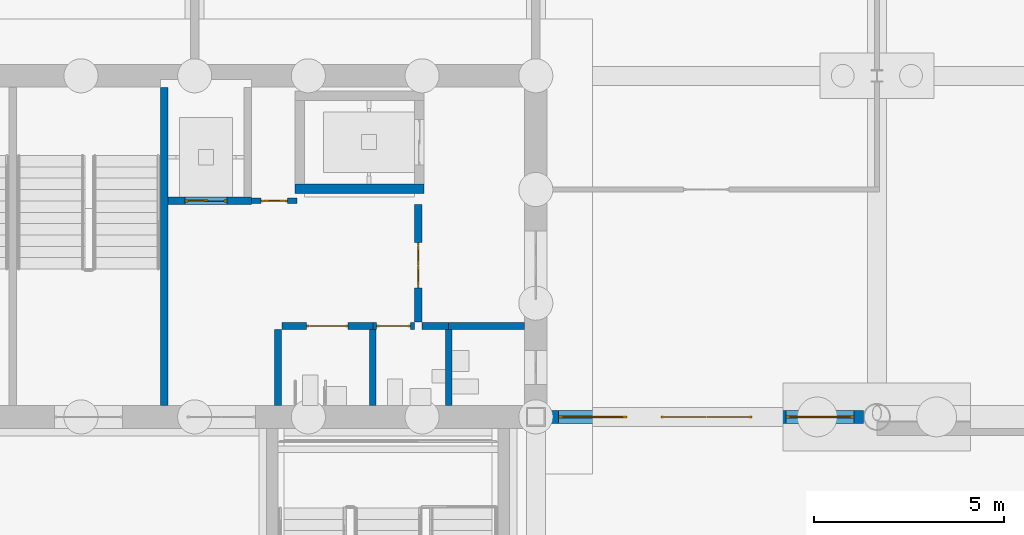
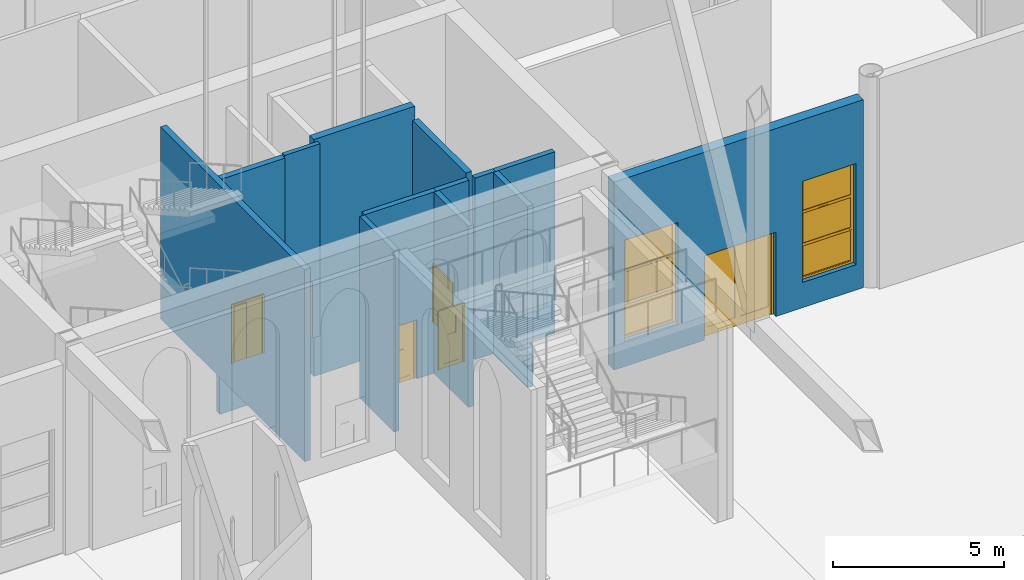
# One storey, part 108 of 250: 13 walls, 6 doors, 2 windows, 8 openings.
"""IFC4 building model written with IfcOpenShell, lengths in metres."""

from ifc_helpers import new_model, si_unit, direction, frame, frame_2d, origin, place, context, subcontext, project, spatial, polyline, rectangle, outline, extrude, material, layer, layer_set, type_object, element, fill, save


model = new_model("IFC4")

# Units and contexts
model_context = context("Model", 3, precision=1e-05, world=origin(), true_north=direction((0.0, 1.0)))
body_context = subcontext(model_context, "Body", "Model", "MODEL_VIEW")
ifc_project = project(units=[si_unit("LENGTHUNIT", "METRE"), si_unit("AREAUNIT", "SQUARE_METRE"), si_unit("VOLUMEUNIT", "CUBIC_METRE"), si_unit("PLANEANGLEUNIT", "RADIAN"), si_unit("MASSUNIT", "GRAM", prefix="KILO")], contexts=[model_context])

# Site, building, storey
site_placement = place(None, origin())
site = spatial("IfcSite", under=ifc_project, at=site_placement, CompositionType="ELEMENT")
building_placement = place(site_placement, origin())
building = spatial("IfcBuilding", under=site, at=building_placement, Name="Baradari Gate Terminus", CompositionType="ELEMENT")
storey_placement = place(building_placement, origin())
storey = spatial("IfcBuildingStorey", under=building, at=storey_placement, Name="L00", CompositionType="ELEMENT", Elevation=0.0)

# Wall
ifc_material_1 = material(Name="Concrete C32/40", Category="concrete")
ifc_layer_1 = layer(ifc_material_1, 0.25)
ifc_layer_set_1 = layer_set([ifc_layer_1], Name="Concrete C32/40")
wall_type_1 = type_object("IfcWallType", Name="Firefighting lift shaft wall SH-2 250 EI 120", PredefinedType="SOLIDWALL", material=ifc_layer_set_1)
wall_1_placement = place(storey_placement, frame((83.64990234375, 87.02490234375, -1.60009765625), z_axis=(0.0, 0.0, 1.0), x_axis=(1.0, 0.0, 0.0)))
element("IfcWall", 1, at=wall_1_placement, inside=storey, type_object=wall_type_1, Name="Lift shaft wall LGN2 L00 S", PredefinedType="SOLIDWALL", context=body_context, shape_type="SweptSolid", body=[
    extrude(rectangle(XDim=3.400146484375, YDim=0.25, at=frame_2d((1.7001953125, 0.0))), origin(), (0.0, 0.0, 1.0), 8.43603515625),
])

# Wall, opening, door
ifc_material_2 = material(Name="Blockwork wall, fire rated", Category="masonry")
ifc_layer_2 = layer(ifc_material_2, 0.199951171875)
ifc_layer_set_2 = layer_set([ifc_layer_2], Name="Blockwork wall, fire rated")
wall_type_2 = type_object("IfcWallType", Name="Lift shaft wall SH-1 200 EI 120", PredefinedType="SOLIDWALL", material=ifc_layer_set_2)
wall_2_placement = place(storey_placement, frame((80.302001953125, 86.699951171875, -1.60009765625), z_axis=(0.0, 0.0, 1.0), x_axis=(1.0, 0.0, 0.0)))
wall_2 = element("IfcWall", 2, at=wall_2_placement, inside=storey, type_object=wall_type_2, Name="Lift shaft wall LGN1 L00 S", PredefinedType="SOLIDWALL", context=body_context, shape_type="SweptSolid", body=[
    extrude(rectangle(XDim=2.197998046875, YDim=0.199951171875, at=frame_2d((1.09912109375, 0.0))), origin(), (0.0, 0.0, 1.0), 8.357177734375),
])
opening_1_placement = place(wall_2_placement, frame((0.447998046875, 0.0, 1.60009765625)))
opening_1 = element("IfcOpeningElement", 3, at=opening_1_placement, cuts=wall_2, Name="Opening D00-068", PredefinedType="OPENING", context=body_context, shape_type="SweptSolid", body=[
    extrude(rectangle(XDim=1.10009765625, YDim=2.10009765625, at=frame_2d((0.550048828125, 1.050048828125))), frame((0.0, 0.10986328125, 0.0), z_axis=(0.0, -1.0, 0.0), x_axis=(1.0, 0.0, 0.0)), (0.0, 0.0, 1.0), 0.219970703125),
])
ifc_material_3 = material(Name="Stainless steel 1.4301", Category="steel")
door_type_1 = type_object("IfcDoorType", Name="Lift landing door LD 1100x2100 E 120", OperationType="SLIDING_TO_LEFT", PredefinedType="DOOR", material=ifc_material_3)
door_1_placement = place(opening_1_placement, origin())
door_1 = element("IfcDoor", 4, at=door_1_placement, inside=storey, type_object=door_type_1, Name="Lift landing door LGN1 L00", OperationType="SLIDING_TO_LEFT", OverallHeight=2.1, OverallWidth=1.1, PredefinedType="DOOR", context=body_context, shape_type="SweptSolid", body=[
    extrude(outline(polyline([(0.0, 0.0), (0.070068359375, 0.0), (0.070068359375, 2.030029296875), (1.030029296875, 2.030029296875), (1.030029296875, 0.0), (1.10009765625, 0.0), (1.10009765625, 2.10009765625), (0.0, 2.10009765625), (0.0, 0.0)])), frame((0.0, 0.02490234375, 0.0), z_axis=(0.0, -1.0, 0.0), x_axis=(1.0, 0.0, 0.0)), (0.0, 0.0, 1.0), 0.050048828125),
    extrude(rectangle(XDim=0.523681640625, YDim=2.01611328125, at=frame_2d((0.3359375, 1.01806640625))), frame((0.0, 0.017822265625, 0.0), z_axis=(0.0, -1.0, 0.0), x_axis=(1.0, 0.0, 0.0)), (0.0, 0.0, 1.0), 0.015869140625),
    extrude(rectangle(XDim=0.519775390625, YDim=2.01611328125, at=frame_2d((0.76611328125, 1.01806640625))), frame((0.0, -0.002197265625, 0.0), z_axis=(0.0, -1.0, 0.0), x_axis=(1.0, 0.0, 0.0)), (0.0, 0.0, 1.0), 0.015869140625),
])
fill(opening_1, door_1)

ifc_material_4 = material(Name="Blockwork wall, plastered, fire rated", Category="masonry")
ifc_layer_3 = layer(ifc_material_4, 0.199951171875)
ifc_layer_set_3 = layer_set([ifc_layer_3], Name="Blockwork wall, plastered, fire rated")
wall_type_3 = type_object("IfcWallType", Name="Lobby partition PT-4 200 EI 60", PredefinedType="PARTITIONING", material=ifc_layer_set_3)
wall_3_placement = place(storey_placement, frame((86.89990234375, 86.60009765625, 0.0), z_axis=(0.0, 0.0, 1.0), x_axis=(0.0, -1.0, 0.0)))
wall_3 = element("IfcWall", 5, at=wall_3_placement, inside=storey, type_object=wall_type_3, Name="PT-4 partition Lift Lobby / Lift Lobby (Fire-fighting)", PredefinedType="PARTITIONING", context=body_context, shape_type="SweptSolid", body=[
    extrude(rectangle(XDim=3.10009765625, YDim=0.199951171875, at=frame_2d((1.550048828125, 0.0))), origin(), (0.0, 0.0, 1.0), 6.60009765625),
])
opening_2_placement = place(wall_3_placement, frame((1.0, 0.0, 0.0)))
opening_2 = element("IfcOpeningElement", 6, at=opening_2_placement, cuts=wall_3, Name="Opening D00-155", PredefinedType="OPENING", context=body_context, shape_type="SweptSolid", body=[
    extrude(rectangle(XDim=1.199951171875, YDim=2.10009765625, at=frame_2d((0.60009765625, 1.050048828125))), frame((0.0, 0.10986328125, 0.0), z_axis=(0.0, -1.0, 0.0), x_axis=(1.0, 0.0, 0.0)), (0.0, 0.0, 1.0), 0.219970703125),
])
ifc_material_5 = material(Name="Steel S275", Category="steel")
door_type_2 = type_object("IfcDoorType", Name="Fire door FI-1200-FD60S 1200x2100 FD60S", OperationType="DOUBLE_DOOR_SINGLE_SWING", PredefinedType="DOOR", material=ifc_material_5)
door_2_placement = place(opening_2_placement, origin())
door_2 = element("IfcDoor", 7, at=door_2_placement, inside=storey, type_object=door_type_2, Name="Door Lift Lobby (Fire-fighting)", OperationType="DOUBLE_DOOR_SINGLE_SWING", OverallHeight=2.1, OverallWidth=1.2, PredefinedType="DOOR", context=body_context, shape_type="SweptSolid", body=[
    extrude(outline(polyline([(0.0, 0.0), (0.070068359375, 0.0), (0.070068359375, 2.030029296875), (1.1298828125, 2.030029296875), (1.1298828125, 0.0), (1.199951171875, 0.0), (1.199951171875, 2.10009765625), (0.0, 2.10009765625), (0.0, 0.0)])), frame((0.0, 0.02490234375, 0.0), z_axis=(0.0, -1.0, 0.0), x_axis=(1.0, 0.0, 0.0)), (0.0, 0.0, 1.0), 0.050048828125),
    extrude(outline(polyline([(0.073974609375, 0.010009765625), (0.596923828125, 0.010009765625), (0.596923828125, 2.026123046875), (0.073974609375, 2.026123046875), (0.073974609375, 0.010009765625)]), holes=[polyline([(0.178466796875, 0.372802734375), (0.492431640625, 0.372802734375), (0.492431640625, 1.7841796875), (0.178466796875, 1.7841796875), (0.178466796875, 0.372802734375)])]), frame((0.0, 0.017333984375, 0.0), z_axis=(0.0, -1.0, 0.0), x_axis=(1.0, 0.0, 0.0)), (0.0, 0.0, 1.0), 0.034912109375),
    extrude(rectangle(XDim=0.31396484375, YDim=1.411376953125, at=frame_2d((0.33544921875, 1.07861328125))), frame((0.0, 0.008544921875, 0.0), z_axis=(0.0, -1.0, 0.0), x_axis=(1.0, 0.0, 0.0)), (0.0, 0.0, 1.0), 0.017333984375),
    extrude(outline(polyline([(0.60302734375, 0.010009765625), (1.1259765625, 0.010009765625), (1.1259765625, 2.026123046875), (0.60302734375, 2.026123046875), (0.60302734375, 0.010009765625)]), holes=[polyline([(0.70751953125, 0.372802734375), (1.021484375, 0.372802734375), (1.021484375, 1.7841796875), (0.70751953125, 1.7841796875), (0.70751953125, 0.372802734375)])]), frame((0.0, 0.017333984375, 0.0), z_axis=(0.0, -1.0, 0.0), x_axis=(1.0, 0.0, 0.0)), (0.0, 0.0, 1.0), 0.034912109375),
    extrude(rectangle(XDim=0.31396484375, YDim=1.411376953125, at=frame_2d((0.864501953125, 1.07861328125))), frame((0.0, 0.008544921875, 0.0), z_axis=(0.0, -1.0, 0.0), x_axis=(1.0, 0.0, 0.0)), (0.0, 0.0, 1.0), 0.017333984375),
])
fill(opening_2, door_2)

ifc_material_6 = material(Name="Blockwork wall, fire rated", Category="masonry")
ifc_layer_4 = layer(ifc_material_6, 0.14990234375)
ifc_layer_set_4 = layer_set([ifc_layer_4], Name="Blockwork wall, fire rated")
wall_type_4 = type_object("IfcWallType", Name="Riser wall RW-1 150 EI 120", PredefinedType="SOLIDWALL", material=ifc_layer_set_4)
wall_4_placement = place(storey_placement, frame((82.501953125, 86.699951171875, 0.0), z_axis=(0.0, 0.0, 1.0), x_axis=(1.0, 0.0, 0.0)))
wall_4 = element("IfcWall", 8, at=wall_4_placement, inside=storey, type_object=wall_type_4, Name="RW-1 partition Lift Lobby / Riser", PredefinedType="SOLIDWALL", context=body_context, shape_type="SweptSolid", body=[
    extrude(rectangle(XDim=1.197998046875, YDim=0.14990234375, at=frame_2d((0.59912109375, 0.0))), origin(), (0.0, 0.0, 1.0), 6.8359375),
])
opening_3_placement = place(wall_4_placement, frame((0.248046875, 0.0, 0.0)))
opening_3 = element("IfcOpeningElement", 9, at=opening_3_placement, cuts=wall_4, Name="Opening D00-157", PredefinedType="OPENING", context=body_context, shape_type="SweptSolid", body=[
    extrude(rectangle(XDim=0.699951171875, YDim=2.0, at=frame_2d((0.35009765625, 1.0))), frame((0.0, 0.0849609375, 0.0), z_axis=(0.0, -1.0, 0.0), x_axis=(1.0, 0.0, 0.0)), (0.0, 0.0, 1.0), 0.169921875),
])
ifc_material_7 = material(Name="Steel S275", Category="steel")
door_type_3 = type_object("IfcDoorType", Name="Fire door FI-700x2000-FD90S 700x2000 FD90S", OperationType="SINGLE_SWING_LEFT", PredefinedType="DOOR", material=ifc_material_7)
door_3_placement = place(opening_3_placement, origin())
door_3 = element("IfcDoor", 10, at=door_3_placement, inside=storey, type_object=door_type_3, Name="Door Riser", OperationType="SINGLE_SWING_LEFT", OverallHeight=2.0, OverallWidth=0.7, PredefinedType="DOOR", context=body_context, shape_type="SweptSolid", body=[
    extrude(outline(polyline([(0.0, 0.0), (0.070068359375, 0.0), (0.070068359375, 1.929931640625), (0.6298828125, 1.929931640625), (0.6298828125, 0.0), (0.699951171875, 0.0), (0.699951171875, 2.0), (0.0, 2.0), (0.0, 0.0)])), frame((0.0, 0.02490234375, 0.0), z_axis=(0.0, -1.0, 0.0), x_axis=(1.0, 0.0, 0.0)), (0.0, 0.0, 1.0), 0.050048828125),
    extrude(outline(polyline([(0.073974609375, 0.010009765625), (0.6259765625, 0.010009765625), (0.6259765625, 1.926025390625), (0.073974609375, 1.926025390625), (0.073974609375, 0.010009765625)]), holes=[polyline([(0.184326171875, 0.159912109375), (0.515625, 0.159912109375), (0.515625, 1.010009765625), (0.184326171875, 1.010009765625), (0.184326171875, 0.159912109375)]), polyline([(0.199951171875, 1.159912109375), (0.5, 1.159912109375), (0.5, 1.760009765625), (0.199951171875, 1.760009765625), (0.199951171875, 1.159912109375)])]), frame((0.0, 0.017333984375, 0.0), z_axis=(0.0, -1.0, 0.0), x_axis=(1.0, 0.0, 0.0)), (0.0, 0.0, 1.0), 0.034912109375),
    extrude(rectangle(XDim=0.331298828125, YDim=0.85009765625, at=frame_2d((0.35009765625, 0.5849609375))), frame((0.0, 0.008544921875, 0.0), z_axis=(0.0, -1.0, 0.0), x_axis=(1.0, 0.0, 0.0)), (0.0, 0.0, 1.0), 0.017333984375),
    extrude(rectangle(XDim=0.300048828125, YDim=0.60009765625, at=frame_2d((0.35009765625, 1.4599609375))), frame((0.0, 0.005859375, 0.0), z_axis=(0.0, -1.0, 0.0), x_axis=(1.0, 0.0, 0.0)), (0.0, 0.0, 1.0), 0.011962890625),
])
fill(opening_3, door_3)

# Wall, openings, door, windows
ifc_material_8 = material(Name="Sandstone masonry", Category="masonry")
ifc_layer_5 = layer(ifc_material_8, 0.35009765625)
ifc_layer_set_5 = layer_set([ifc_layer_5], Name="Sandstone masonry")
wall_type_5 = type_object("IfcWallType", Name="Sandstone masonry wall WS-1 350", PredefinedType="SOLIDWALL", material=ifc_layer_set_5)
wall_5_placement = place(storey_placement, frame((90.25, 81.0, 0.0), z_axis=(0.0, 0.0, 1.0), x_axis=(1.0, 0.0, 0.0)))
wall_5 = element("IfcWall", 11, at=wall_5_placement, inside=storey, type_object=wall_type_5, Name="platform side HS bay 11 L00", PredefinedType="SOLIDWALL", context=body_context, shape_type="SweptSolid", body=[
    extrude(rectangle(XDim=8.39453125, YDim=0.35009765625, at=frame_2d((4.197265625, 0.0))), origin(), (0.0, 0.0, 1.0), 6.692138671875),
])
opening_4_placement = place(wall_5_placement, frame((3.050048828125, 0.0, 0.0)))
opening_4 = element("IfcOpeningElement", 12, at=opening_4_placement, cuts=wall_5, Name="Opening D00-033", PredefinedType="OPENING", context=body_context, shape_type="SweptSolid", body=[
    extrude(rectangle(XDim=2.39990234375, YDim=3.0, at=frame_2d((1.199951171875, 1.5))), frame((0.0, 0.18505859375, 0.0), z_axis=(0.0, -1.0, 0.0), x_axis=(1.0, 0.0, 0.0)), (0.0, 0.0, 1.0), 0.3701171875),
])
opening_5_placement = place(wall_5_placement, frame((0.35009765625, 0.0, 0.89990234375)))
opening_5 = element("IfcOpeningElement", 13, at=opening_5_placement, cuts=wall_5, Name="Opening W3", PredefinedType="OPENING", context=body_context, shape_type="SweptSolid", body=[
    extrude(rectangle(XDim=1.800048828125, YDim=3.60009765625, at=frame_2d((0.89990234375, 1.800048828125))), frame((0.0, 0.18505859375, 0.0), z_axis=(0.0, -1.0, 0.0), x_axis=(1.0, 0.0, 0.0)), (0.0, 0.0, 1.0), 0.3701171875),
])
opening_6_placement = place(wall_5_placement, frame((6.35009765625, 0.0, 0.89990234375)))
opening_6 = element("IfcOpeningElement", 14, at=opening_6_placement, cuts=wall_5, Name="Opening W3", PredefinedType="OPENING", context=body_context, shape_type="SweptSolid", body=[
    extrude(rectangle(XDim=1.800048828125, YDim=3.60009765625, at=frame_2d((0.89990234375, 1.800048828125))), frame((0.0, 0.18505859375, 0.0), z_axis=(0.0, -1.0, 0.0), x_axis=(1.0, 0.0, 0.0)), (0.0, 0.0, 1.0), 0.3701171875),
])
ifc_material_9 = material(Name="Aluminium 6063-T6", Category="aluminium")
door_type_4 = type_object("IfcDoorType", Name="Platform door pair, glazed DT-7 2400x3000", OperationType="DOUBLE_DOOR_SINGLE_SWING", PredefinedType="DOOR", material=ifc_material_9)
door_4_placement = place(opening_4_placement, frame((2.39990234375, 0.0, 0.0), z_axis=(0.0, 0.0, 1.0), x_axis=(-1.0, 0.0, 0.0)))
door_4 = element("IfcDoor", 15, at=door_4_placement, inside=storey, type_object=door_type_4, Name="Exit door Corridor (Platform Passage West)", OperationType="DOUBLE_DOOR_SINGLE_SWING", OverallHeight=3.0, OverallWidth=2.4, PredefinedType="DOOR", context=body_context, shape_type="SweptSolid", body=[
    extrude(outline(polyline([(0.0, 0.0), (0.070068359375, 0.0), (0.070068359375, 2.929931640625), (2.329833984375, 2.929931640625), (2.329833984375, 0.0), (2.39990234375, 0.0), (2.39990234375, 3.0), (0.0, 3.0), (0.0, 0.0)])), frame((0.0, 0.02490234375, 0.0), z_axis=(0.0, -1.0, 0.0), x_axis=(1.0, 0.0, 0.0)), (0.0, 0.0, 1.0), 0.050048828125),
    extrude(outline(polyline([(0.073974609375, 0.010009765625), (1.19677734375, 0.010009765625), (1.19677734375, 2.926025390625), (0.073974609375, 2.926025390625), (0.073974609375, 0.010009765625)]), holes=[polyline([(0.1640625, 0.31005859375), (1.10693359375, 0.31005859375), (1.10693359375, 2.8359375), (0.1640625, 2.8359375), (0.1640625, 0.31005859375)])]), frame((0.0, 0.017333984375, 0.0), z_axis=(0.0, -1.0, 0.0), x_axis=(1.0, 0.0, 0.0)), (0.0, 0.0, 1.0), 0.034912109375),
    extrude(rectangle(XDim=0.94287109375, YDim=2.52587890625, at=frame_2d((0.635498046875, 1.572998046875))), frame((0.0, 0.005859375, 0.0), z_axis=(0.0, -1.0, 0.0), x_axis=(1.0, 0.0, 0.0)), (0.0, 0.0, 1.0), 0.011962890625),
    extrude(outline(polyline([(1.203125, 0.010009765625), (2.325927734375, 0.010009765625), (2.325927734375, 2.926025390625), (1.203125, 2.926025390625), (1.203125, 0.010009765625)]), holes=[polyline([(1.29296875, 0.31005859375), (2.23583984375, 0.31005859375), (2.23583984375, 2.8359375), (1.29296875, 2.8359375), (1.29296875, 0.31005859375)])]), frame((0.0, 0.017333984375, 0.0), z_axis=(0.0, -1.0, 0.0), x_axis=(1.0, 0.0, 0.0)), (0.0, 0.0, 1.0), 0.034912109375),
    extrude(rectangle(XDim=0.94287109375, YDim=2.52587890625, at=frame_2d((1.764404296875, 1.572998046875))), frame((0.0, 0.005859375, 0.0), z_axis=(0.0, -1.0, 0.0), x_axis=(1.0, 0.0, 0.0)), (0.0, 0.0, 1.0), 0.011962890625),
])
fill(opening_4, door_4)
ifc_material_10 = material(Name="Aluminium 6063-T6", Category="aluminium")
window_type = type_object("IfcWindowType", Name="Tall window, 3-light W3 1800x3600", PartitioningType="TRIPLE_PANEL_HORIZONTAL", PredefinedType="WINDOW", material=ifc_material_10)
window_1_placement = place(opening_5_placement, origin())
window_1 = element("IfcWindow", 16, at=window_1_placement, inside=storey, type_object=window_type, Name="Window W3 HS/10", OverallHeight=3.6, OverallWidth=1.8, PartitioningType="TRIPLE_PANEL_HORIZONTAL", PredefinedType="WINDOW", context=body_context, shape_type="SweptSolid", body=[
    extrude(outline(polyline([(0.0, 0.0), (1.800048828125, 0.0), (1.800048828125, 3.60009765625), (0.0, 3.60009765625), (0.0, 0.0)]), holes=[polyline([(0.070068359375, 0.070068359375), (1.72998046875, 0.070068359375), (1.72998046875, 3.530029296875), (0.070068359375, 3.530029296875), (0.070068359375, 0.070068359375)])]), frame((0.0, 0.030029296875, 0.0), z_axis=(0.0, -1.0, 0.0), x_axis=(1.0, 0.0, 0.0)), (0.0, 0.0, 1.0), 0.06005859375),
    extrude(rectangle(XDim=1.659912109375, YDim=0.0400390625, at=frame_2d((0.89990234375, 1.216796875))), frame((0.0, 0.021484375, 0.0), z_axis=(0.0, -1.0, 0.0), x_axis=(1.0, 0.0, 0.0)), (0.0, 0.0, 1.0), 0.04296875),
    extrude(rectangle(XDim=1.659912109375, YDim=0.0400390625, at=frame_2d((0.89990234375, 2.38330078125))), frame((0.0, 0.021484375, 0.0), z_axis=(0.0, -1.0, 0.0), x_axis=(1.0, 0.0, 0.0)), (0.0, 0.0, 1.0), 0.04296875),
    extrude(outline(polyline([(0.070068359375, 0.070068359375), (1.72998046875, 0.070068359375), (1.72998046875, 1.19677734375), (0.070068359375, 1.19677734375), (0.070068359375, 0.070068359375)]), holes=[polyline([(0.10009765625, 0.10009765625), (1.699951171875, 0.10009765625), (1.699951171875, 1.166748046875), (0.10009765625, 1.166748046875), (0.10009765625, 0.10009765625)])]), frame((0.0, 0.0224609375, 0.0), z_axis=(0.0, -1.0, 0.0), x_axis=(1.0, 0.0, 0.0)), (0.0, 0.0, 1.0), 0.044921875),
    extrude(rectangle(XDim=1.599853515625, YDim=1.066650390625, at=frame_2d((0.89990234375, 0.63330078125))), frame((0.0, 0.006103515625, 0.0), z_axis=(0.0, -1.0, 0.0), x_axis=(1.0, 0.0, 0.0)), (0.0, 0.0, 1.0), 0.01220703125),
    extrude(outline(polyline([(0.070068359375, 1.23681640625), (1.72998046875, 1.23681640625), (1.72998046875, 2.36328125), (0.070068359375, 2.36328125), (0.070068359375, 1.23681640625)]), holes=[polyline([(0.10009765625, 1.266845703125), (1.699951171875, 1.266845703125), (1.699951171875, 2.333251953125), (0.10009765625, 2.333251953125), (0.10009765625, 1.266845703125)])]), frame((0.0, 0.0224609375, 0.0), z_axis=(0.0, -1.0, 0.0), x_axis=(1.0, 0.0, 0.0)), (0.0, 0.0, 1.0), 0.044921875),
    extrude(rectangle(XDim=1.599853515625, YDim=1.06640625, at=frame_2d((0.89990234375, 1.800048828125))), frame((0.0, 0.006103515625, 0.0), z_axis=(0.0, -1.0, 0.0), x_axis=(1.0, 0.0, 0.0)), (0.0, 0.0, 1.0), 0.01220703125),
    extrude(outline(polyline([(0.070068359375, 2.4033203125), (1.72998046875, 2.4033203125), (1.72998046875, 3.530029296875), (0.070068359375, 3.530029296875), (0.070068359375, 2.4033203125)]), holes=[polyline([(0.10009765625, 2.433349609375), (1.699951171875, 2.433349609375), (1.699951171875, 3.5), (0.10009765625, 3.5), (0.10009765625, 2.433349609375)])]), frame((0.0, 0.0224609375, 0.0), z_axis=(0.0, -1.0, 0.0), x_axis=(1.0, 0.0, 0.0)), (0.0, 0.0, 1.0), 0.044921875),
    extrude(rectangle(XDim=1.599853515625, YDim=1.066650390625, at=frame_2d((0.89990234375, 2.966796875))), frame((0.0, 0.006103515625, 0.0), z_axis=(0.0, -1.0, 0.0), x_axis=(1.0, 0.0, 0.0)), (0.0, 0.0, 1.0), 0.01220703125),
])
fill(opening_5, window_1)
window_2_placement = place(opening_6_placement, origin())
window_2 = element("IfcWindow", 17, at=window_2_placement, inside=storey, type_object=window_type, Name="Window W3 HS/10", OverallHeight=3.6, OverallWidth=1.8, PartitioningType="TRIPLE_PANEL_HORIZONTAL", PredefinedType="WINDOW", context=body_context, shape_type="SweptSolid", body=[
    extrude(outline(polyline([(0.0, 0.0), (1.800048828125, 0.0), (1.800048828125, 3.60009765625), (0.0, 3.60009765625), (0.0, 0.0)]), holes=[polyline([(0.070068359375, 0.070068359375), (1.72998046875, 0.070068359375), (1.72998046875, 3.530029296875), (0.070068359375, 3.530029296875), (0.070068359375, 0.070068359375)])]), frame((0.0, 0.030029296875, 0.0), z_axis=(0.0, -1.0, 0.0), x_axis=(1.0, 0.0, 0.0)), (0.0, 0.0, 1.0), 0.06005859375),
    extrude(rectangle(XDim=1.659912109375, YDim=0.0400390625, at=frame_2d((0.89990234375, 1.216796875))), frame((0.0, 0.021484375, 0.0), z_axis=(0.0, -1.0, 0.0), x_axis=(1.0, 0.0, 0.0)), (0.0, 0.0, 1.0), 0.04296875),
    extrude(rectangle(XDim=1.659912109375, YDim=0.0400390625, at=frame_2d((0.89990234375, 2.38330078125))), frame((0.0, 0.021484375, 0.0), z_axis=(0.0, -1.0, 0.0), x_axis=(1.0, 0.0, 0.0)), (0.0, 0.0, 1.0), 0.04296875),
    extrude(outline(polyline([(0.070068359375, 0.070068359375), (1.72998046875, 0.070068359375), (1.72998046875, 1.19677734375), (0.070068359375, 1.19677734375), (0.070068359375, 0.070068359375)]), holes=[polyline([(0.10009765625, 0.10009765625), (1.699951171875, 0.10009765625), (1.699951171875, 1.166748046875), (0.10009765625, 1.166748046875), (0.10009765625, 0.10009765625)])]), frame((0.0, 0.0224609375, 0.0), z_axis=(0.0, -1.0, 0.0), x_axis=(1.0, 0.0, 0.0)), (0.0, 0.0, 1.0), 0.044921875),
    extrude(rectangle(XDim=1.599853515625, YDim=1.066650390625, at=frame_2d((0.89990234375, 0.63330078125))), frame((0.0, 0.006103515625, 0.0), z_axis=(0.0, -1.0, 0.0), x_axis=(1.0, 0.0, 0.0)), (0.0, 0.0, 1.0), 0.01220703125),
    extrude(outline(polyline([(0.070068359375, 1.23681640625), (1.72998046875, 1.23681640625), (1.72998046875, 2.36328125), (0.070068359375, 2.36328125), (0.070068359375, 1.23681640625)]), holes=[polyline([(0.10009765625, 1.266845703125), (1.699951171875, 1.266845703125), (1.699951171875, 2.333251953125), (0.10009765625, 2.333251953125), (0.10009765625, 1.266845703125)])]), frame((0.0, 0.0224609375, 0.0), z_axis=(0.0, -1.0, 0.0), x_axis=(1.0, 0.0, 0.0)), (0.0, 0.0, 1.0), 0.044921875),
    extrude(rectangle(XDim=1.599853515625, YDim=1.06640625, at=frame_2d((0.89990234375, 1.800048828125))), frame((0.0, 0.006103515625, 0.0), z_axis=(0.0, -1.0, 0.0), x_axis=(1.0, 0.0, 0.0)), (0.0, 0.0, 1.0), 0.01220703125),
    extrude(outline(polyline([(0.070068359375, 2.4033203125), (1.72998046875, 2.4033203125), (1.72998046875, 3.530029296875), (0.070068359375, 3.530029296875), (0.070068359375, 2.4033203125)]), holes=[polyline([(0.10009765625, 2.433349609375), (1.699951171875, 2.433349609375), (1.699951171875, 3.5), (0.10009765625, 3.5), (0.10009765625, 2.433349609375)])]), frame((0.0, 0.0224609375, 0.0), z_axis=(0.0, -1.0, 0.0), x_axis=(1.0, 0.0, 0.0)), (0.0, 0.0, 1.0), 0.044921875),
    extrude(rectangle(XDim=1.599853515625, YDim=1.066650390625, at=frame_2d((0.89990234375, 2.966796875))), frame((0.0, 0.006103515625, 0.0), z_axis=(0.0, -1.0, 0.0), x_axis=(1.0, 0.0, 0.0)), (0.0, 0.0, 1.0), 0.01220703125),
])
fill(opening_6, window_2)

# Wall
ifc_material_11 = material(Name="Concrete C40/50", Category="concrete")
ifc_layer_6 = layer(ifc_material_11, 0.199951171875)
ifc_layer_set_6 = layer_set([ifc_layer_6], Name="Concrete C40/50")
wall_type_6 = type_object("IfcWallType", Name="Stair enclosure wall SE-4 200 EI 120", PredefinedType="SOLIDWALL", material=ifc_layer_set_6)
wall_6_placement = place(storey_placement, frame((80.199951171875, 81.302001953125, 0.0), z_axis=(0.0, 0.0, 1.0), x_axis=(0.0, 1.0, 0.0)))
element("IfcWall", 18, at=wall_6_placement, inside=storey, type_object=wall_type_6, Name="Stair enclosure wall SE-4 ST-GN2 L00 E", PredefinedType="SOLIDWALL", context=body_context, shape_type="SweptSolid", body=[
    extrude(rectangle(XDim=8.39599609375, YDim=0.199951171875, at=frame_2d((4.197998046875, 0.0))), origin(), (0.0, 0.0, 1.0), 6.8359375),
])

# Wall, opening, door
ifc_material_12 = material(Name="Blockwork wall, tiled both faces", Category="masonry")
ifc_layer_7 = layer(ifc_material_12, 0.175048828125)
ifc_layer_set_7 = layer_set([ifc_layer_7], Name="Blockwork wall, tiled both faces")
wall_type_7 = type_object("IfcWallType", Name="WC wet wall PT-6 175 EI 60", PredefinedType="PARTITIONING", material=ifc_layer_set_7)
wall_7_placement = place(storey_placement, frame((86.800048828125, 83.39990234375, 0.0), z_axis=(0.0, 0.0, 1.0), x_axis=(-1.0, 0.0, 0.0)))
wall_7 = element("IfcWall", 19, at=wall_7_placement, inside=storey, type_object=wall_type_7, Name="PT-6 partition Lift Lobby / Male WC", PredefinedType="PARTITIONING", context=body_context, shape_type="SweptSolid", body=[
    extrude(rectangle(XDim=1.10009765625, YDim=0.175048828125, at=frame_2d((0.550048828125, 0.0))), origin(), (0.0, 0.0, 1.0), 6.458984375),
])
opening_7_placement = place(wall_7_placement, frame((0.10009765625, 0.0, 0.0)))
opening_7 = element("IfcOpeningElement", 20, at=opening_7_placement, cuts=wall_7, Name="Opening D00-159", PredefinedType="OPENING", context=body_context, shape_type="SweptSolid", body=[
    extrude(rectangle(XDim=0.89990234375, YDim=2.10009765625, at=frame_2d((0.449951171875, 1.050048828125))), frame((0.0, 0.097412109375, 0.0), z_axis=(0.0, -1.0, 0.0), x_axis=(1.0, 0.0, 0.0)), (0.0, 0.0, 1.0), 0.195068359375),
])
ifc_material_13 = material(Name="Steel S275", Category="steel")
door_type_5 = type_object("IfcDoorType", Name="Fire door FI-900-FD60S 900x2100 FD60S", OperationType="SINGLE_SWING_LEFT", PredefinedType="DOOR", material=ifc_material_13)
door_5_placement = place(opening_7_placement, origin())
door_5 = element("IfcDoor", 21, at=door_5_placement, inside=storey, type_object=door_type_5, Name="Door Male WC", OperationType="SINGLE_SWING_RIGHT", OverallHeight=2.1, OverallWidth=0.9, PredefinedType="DOOR", context=body_context, shape_type="SweptSolid", body=[
    extrude(outline(polyline([(0.0, 0.0), (0.070068359375, 0.0), (0.070068359375, 2.030029296875), (0.829833984375, 2.030029296875), (0.829833984375, 0.0), (0.89990234375, 0.0), (0.89990234375, 2.10009765625), (0.0, 2.10009765625), (0.0, 0.0)])), frame((0.0, 0.02490234375, 0.0), z_axis=(0.0, -1.0, 0.0), x_axis=(1.0, 0.0, 0.0)), (0.0, 0.0, 1.0), 0.050048828125),
    extrude(outline(polyline([(0.073974609375, 0.010009765625), (0.825927734375, 0.010009765625), (0.825927734375, 2.026123046875), (0.073974609375, 2.026123046875), (0.073974609375, 0.010009765625)]), holes=[polyline([(0.194091796875, 0.159912109375), (0.705810546875, 0.159912109375), (0.705810546875, 1.010009765625), (0.194091796875, 1.010009765625), (0.194091796875, 0.159912109375)]), polyline([(0.300048828125, 1.159912109375), (0.599853515625, 1.159912109375), (0.599853515625, 1.760009765625), (0.300048828125, 1.760009765625), (0.300048828125, 1.159912109375)])]), frame((0.0, 0.017333984375, 0.0), z_axis=(0.0, -1.0, 0.0), x_axis=(1.0, 0.0, 0.0)), (0.0, 0.0, 1.0), 0.034912109375),
    extrude(rectangle(XDim=0.51171875, YDim=0.85009765625, at=frame_2d((0.449951171875, 0.5849609375))), frame((0.0, 0.008544921875, 0.0), z_axis=(0.0, -1.0, 0.0), x_axis=(1.0, 0.0, 0.0)), (0.0, 0.0, 1.0), 0.017333984375),
    extrude(rectangle(XDim=0.2998046875, YDim=0.60009765625, at=frame_2d((0.449951171875, 1.4599609375))), frame((0.0, 0.005859375, 0.0), z_axis=(0.0, -1.0, 0.0), x_axis=(1.0, 0.0, 0.0)), (0.0, 0.0, 1.0), 0.011962890625),
])
fill(opening_7, door_5)

wall_8_placement = place(storey_placement, frame((85.699951171875, 83.39990234375, 0.0), z_axis=(0.0, 0.0, 1.0), x_axis=(-1.0, 0.0, 0.0)))
wall_8 = element("IfcWall", 22, at=wall_8_placement, inside=storey, type_object=wall_type_7, Name="PT-6 partition Lift Lobby / Accessible WC", PredefinedType="PARTITIONING", context=body_context, shape_type="SweptSolid", body=[
    extrude(rectangle(XDim=2.39990234375, YDim=0.175048828125, at=frame_2d((1.199951171875, 0.0))), origin(), (0.0, 0.0, 1.0), 6.458984375),
])
opening_8_placement = place(wall_8_placement, frame((0.64990234375, 0.0, 0.0)))
opening_8 = element("IfcOpeningElement", 23, at=opening_8_placement, cuts=wall_8, Name="Opening D00-158", PredefinedType="OPENING", context=body_context, shape_type="SweptSolid", body=[
    extrude(rectangle(XDim=1.10009765625, YDim=2.10009765625, at=frame_2d((0.550048828125, 1.050048828125))), frame((0.0, 0.097412109375, 0.0), z_axis=(0.0, -1.0, 0.0), x_axis=(1.0, 0.0, 0.0)), (0.0, 0.0, 1.0), 0.195068359375),
])
ifc_material_14 = material(Name="Steel S275", Category="steel")
door_type_6 = type_object("IfcDoorType", Name="Fire door FI-1100-FD60S 1100x2100 FD60S", OperationType="SINGLE_SWING_LEFT", PredefinedType="DOOR", material=ifc_material_14)
door_6_placement = place(opening_8_placement, origin())
door_6 = element("IfcDoor", 24, at=door_6_placement, inside=storey, type_object=door_type_6, Name="Door Accessible WC", OperationType="SINGLE_SWING_LEFT", OverallHeight=2.1, OverallWidth=1.1, PredefinedType="DOOR", context=body_context, shape_type="SweptSolid", body=[
    extrude(outline(polyline([(0.0, 0.0), (0.070068359375, 0.0), (0.070068359375, 2.030029296875), (1.030029296875, 2.030029296875), (1.030029296875, 0.0), (1.10009765625, 0.0), (1.10009765625, 2.10009765625), (0.0, 2.10009765625), (0.0, 0.0)])), frame((0.0, 0.02490234375, 0.0), z_axis=(0.0, -1.0, 0.0), x_axis=(1.0, 0.0, 0.0)), (0.0, 0.0, 1.0), 0.050048828125),
    extrude(outline(polyline([(0.073974609375, 0.010009765625), (1.026123046875, 0.010009765625), (1.026123046875, 2.026123046875), (0.073974609375, 2.026123046875), (0.073974609375, 0.010009765625)]), holes=[polyline([(0.194091796875, 0.159912109375), (0.906005859375, 0.159912109375), (0.906005859375, 1.010009765625), (0.194091796875, 1.010009765625), (0.194091796875, 0.159912109375)]), polyline([(0.400146484375, 1.159912109375), (0.699951171875, 1.159912109375), (0.699951171875, 1.760009765625), (0.400146484375, 1.760009765625), (0.400146484375, 1.159912109375)])]), frame((0.0, 0.017333984375, 0.0), z_axis=(0.0, -1.0, 0.0), x_axis=(1.0, 0.0, 0.0)), (0.0, 0.0, 1.0), 0.034912109375),
    extrude(rectangle(XDim=0.7119140625, YDim=0.85009765625, at=frame_2d((0.550048828125, 0.5849609375))), frame((0.0, 0.008544921875, 0.0), z_axis=(0.0, -1.0, 0.0), x_axis=(1.0, 0.0, 0.0)), (0.0, 0.0, 1.0), 0.017333984375),
    extrude(rectangle(XDim=0.2998046875, YDim=0.60009765625, at=frame_2d((0.550048828125, 1.4599609375))), frame((0.0, 0.005859375, 0.0), z_axis=(0.0, -1.0, 0.0), x_axis=(1.0, 0.0, 0.0)), (0.0, 0.0, 1.0), 0.011962890625),
])
fill(opening_8, door_6)

# Walls
wall_9_placement = place(storey_placement, frame((83.199951171875, 83.300048828125, 0.0), z_axis=(0.0, 0.0, 1.0), x_axis=(0.0, -1.0, 0.0)))
element("IfcWall", 25, at=wall_9_placement, inside=storey, type_object=wall_type_7, Name="PT-6 partition Lift Lobby / Accessible WC", PredefinedType="PARTITIONING", context=body_context, shape_type="SweptSolid", body=[
    extrude(rectangle(XDim=1.998046875, YDim=0.175048828125, at=frame_2d((0.9990234375, 0.0))), origin(), (0.0, 0.0, 1.0), 6.458984375),
])
wall_10_placement = place(storey_placement, frame((87.699951171875, 83.39990234375, 0.0), z_axis=(0.0, 0.0, 1.0), x_axis=(-1.0, 0.0, 0.0)))
element("IfcWall", 26, at=wall_10_placement, inside=storey, type_object=wall_type_7, Name="PT-6 partition Lift Lobby (Fire-fighting) / Male WC", PredefinedType="PARTITIONING", context=body_context, shape_type="SweptSolid", body=[
    extrude(rectangle(XDim=0.699951171875, YDim=0.175048828125, at=frame_2d((0.35009765625, 0.0))), origin(), (0.0, 0.0, 1.0), 6.458984375),
])
for number, where, z_axis, x_axis, name in (
    (27, (89.697998046875, 83.39990234375, 0.0), (0.0, 0.0, 1.0), (-1.0, 0.0, 0.0), "PT-6 partition Lift Lobby (Fire-fighting) / Female WC"),
    (28, (85.699951171875, 83.300048828125, 0.0), (0.0, 0.0, 1.0), (0.0, -1.0, 0.0), "PT-6 partition Accessible WC / Male WC"),
    (29, (87.699951171875, 83.300048828125, 0.0), (0.0, 0.0, 1.0), (0.0, -1.0, 0.0), "PT-6 partition Male WC / Female WC"),
):
    element("IfcWall", number, at=place(storey_placement, frame(where, z_axis=z_axis, x_axis=x_axis)), inside=storey, type_object=wall_type_7, Name=name, PredefinedType="PARTITIONING", context=body_context, shape_type="SweptSolid", body=[
        extrude(rectangle(XDim=1.998046875, YDim=0.175048828125, at=frame_2d((0.9990234375, 0.0))), origin(), (0.0, 0.0, 1.0), 6.458984375),
    ])

save(model, "model.ifc")
